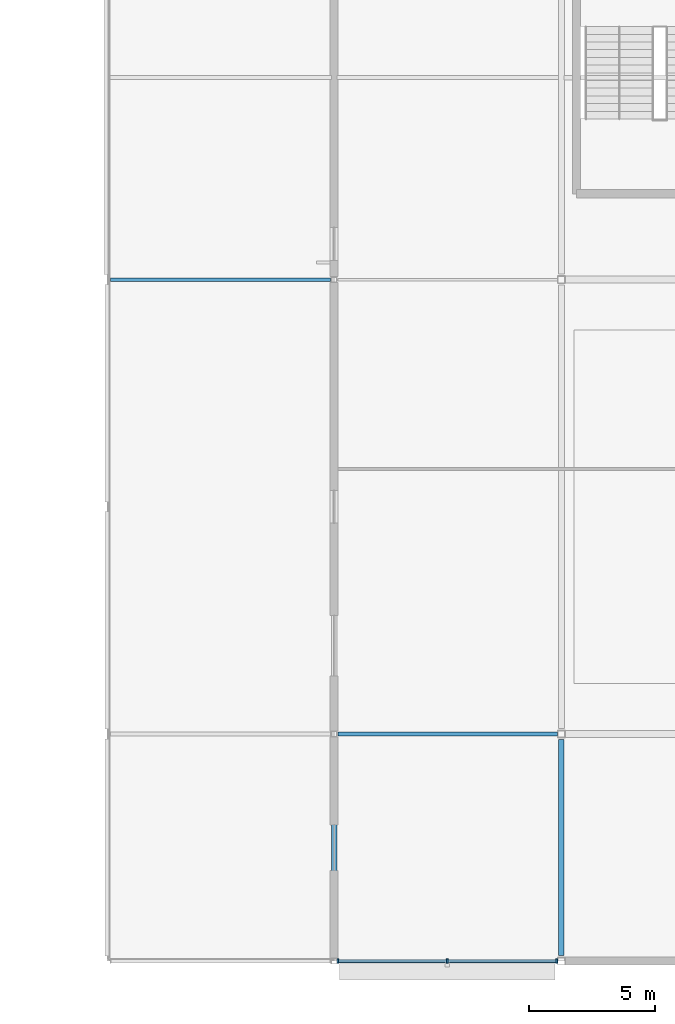
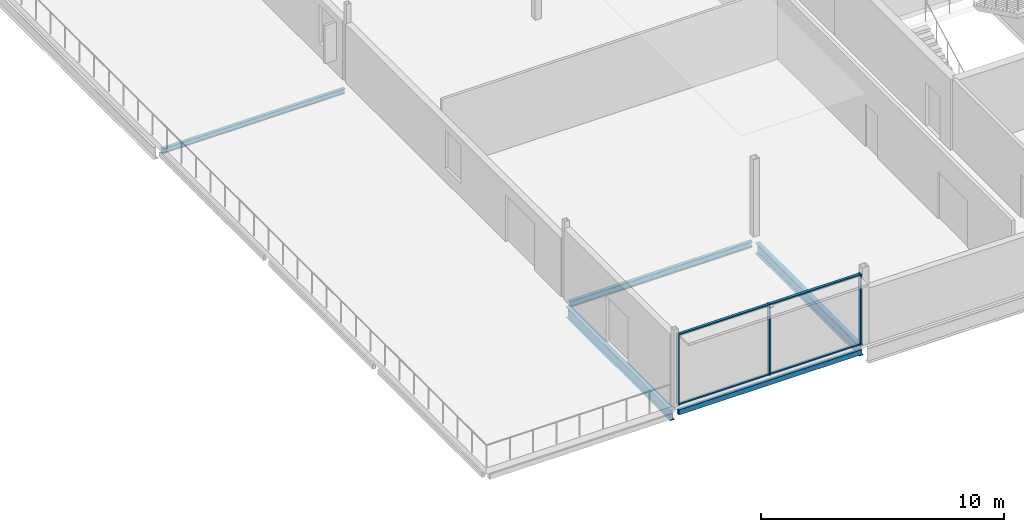
# One storey, part 20 of 55: 7 members, 5 beams, 1 element without a shape of its own.
"""IFC4 building model written with IfcOpenShell, lengths in metres."""

from ifc_helpers import new_model, si_unit, direction, frame, origin, origin_2d, place, context, subcontext, project, spatial, rectangle, hollow_rectangle, i_section, extrude, material, layer, layer_set, material_profile, profile_set, type_object, element, aggregate, save


model = new_model("IFC4")

# Units and contexts
model_context = context("Model", 3, precision=1e-05, world=origin(), true_north=direction((0.0, 1.0)))
body_context = subcontext(model_context, "Body", "Model", "MODEL_VIEW")
ifc_project = project(units=[si_unit("LENGTHUNIT", "METRE"), si_unit("AREAUNIT", "SQUARE_METRE"), si_unit("VOLUMEUNIT", "CUBIC_METRE"), si_unit("PLANEANGLEUNIT", "RADIAN"), si_unit("MASSUNIT", "GRAM", prefix="KILO")], contexts=[model_context])

# Site, building, storey
site_placement = place(None, origin())
site = spatial("IfcSite", under=ifc_project, at=site_placement, CompositionType="ELEMENT")
building_placement = place(site_placement, origin())
building = spatial("IfcBuilding", under=site, at=building_placement, Name="Kisiwana Market Hall", CompositionType="ELEMENT")
storey_placement = place(building_placement, frame((0.0, 0.0, 37.800048828125)))
storey = spatial("IfcBuildingStorey", under=building, at=storey_placement, Name="L08", CompositionType="ELEMENT", Elevation=37.800048828125)

# Beams
ifc_material_1 = material(Name="Steel S355", Category="steel")
ifc_material_profile_1 = material_profile(ifc_material_1, i_section(OverallWidth=0.209228515625, OverallDepth=0.533203125, WebThickness=0.010009765625, FlangeThickness=0.015625, at=origin_2d()), Name="UB 533x210x92")
ifc_profile_set_1 = profile_set([ifc_material_profile_1], Name="Steel S355")
beam_type_1 = type_object("IfcBeamType", Name="BM-GIRD-UB533", PredefinedType="BEAM", material=ifc_profile_set_1)
beam_1_placement = place(storey_placement, frame((162.0, 9.196044921875, -0.591552734375), z_axis=(0.0, 1.0, 0.0), x_axis=(-1.0, 0.0, 0.0)))
element("IfcBeam", 1, at=beam_1_placement, inside=storey, type_object=beam_type_1, Name="Primary girder B-2094", PredefinedType="BEAM", context=body_context, shape_type="SweptSolid", body=[
    extrude(i_section(OverallWidth=0.209228515625, OverallDepth=0.533203125, WebThickness=0.010009765625, FlangeThickness=0.015625, at=origin_2d()), origin(), (0.0, 0.0, 1.0), 8.60791015625),
])
beam_2_placement = place(storey_placement, frame((171.0, 9.220947265625, -0.51171875), z_axis=(0.0, 1.0, 0.0), x_axis=(-1.0, 0.0, 0.0)))
element("IfcBeam", 2, at=beam_2_placement, inside=storey, type_object=beam_type_1, Name="Primary girder B-2100", PredefinedType="BEAM", context=body_context, shape_type="SweptSolid", body=[
    extrude(i_section(OverallWidth=0.209228515625, OverallDepth=0.533203125, WebThickness=0.010009765625, FlangeThickness=0.015625, at=origin_2d()), origin(), (0.0, 0.0, 1.0), 8.55810546875),
])
ifc_material_2 = material(Name="Steel S355", Category="steel")
ifc_material_profile_2 = material_profile(ifc_material_2, i_section(OverallWidth=0.1650390625, OverallDepth=0.303466796875, WebThickness=0.006103515625, FlangeThickness=0.01025390625, at=origin_2d()), Name="UB 305x165x40")
ifc_profile_set_2 = profile_set([ifc_material_profile_2], Name="Steel S355")
beam_type_2 = type_object("IfcBeamType", Name="BM-JOIST-UB040", PredefinedType="JOIST", material=ifc_profile_set_2)
beam_3_placement = place(storey_placement, frame((162.14599609375, 18.0, -0.396728515625), z_axis=(1.0, 0.0, 0.0), x_axis=(0.0, 1.0, 0.0)))
element("IfcBeam", 3, at=beam_3_placement, inside=storey, type_object=beam_type_2, Name="Floor beam B-2155", PredefinedType="JOIST", context=body_context, shape_type="SweptSolid", body=[
    extrude(i_section(OverallWidth=0.1650390625, OverallDepth=0.303466796875, WebThickness=0.006103515625, FlangeThickness=0.01025390625, at=origin_2d()), origin(), (0.0, 0.0, 1.0), 8.7080078125),
])
ifc_material_3 = material(Name="Steel S355", Category="steel")
ifc_material_profile_3 = material_profile(ifc_material_3, i_section(OverallWidth=0.146484375, OverallDepth=0.256103515625, WebThickness=0.00634765625, FlangeThickness=0.010986328125, at=origin_2d()), Name="UB 254x146x37")
ifc_profile_set_3 = profile_set([ifc_material_profile_3], Name="Steel S355")
beam_type_3 = type_object("IfcBeamType", Name="BM-JOIST-UB254", PredefinedType="JOIST", material=ifc_profile_set_3)
beam_4_placement = place(storey_placement, frame((153.14599609375, 36.0, -0.453125), z_axis=(1.0, 0.0, 0.0), x_axis=(0.0, 1.0, 0.0)))
element("IfcBeam", 4, at=beam_4_placement, inside=storey, type_object=beam_type_3, Name="Floor beam B-2162", PredefinedType="JOIST", context=body_context, shape_type="SweptSolid", body=[
    extrude(i_section(OverallWidth=0.146484375, OverallDepth=0.256103515625, WebThickness=0.00634765625, FlangeThickness=0.010986328125, at=origin_2d()), origin(), (0.0, 0.0, 1.0), 8.7080078125),
])
ifc_material_4 = material(Name="Steel S355", Category="steel")
ifc_material_profile_4 = material_profile(ifc_material_4, hollow_rectangle(XDim=0.14990234375, YDim=0.25, WallThickness=0.010009765625, at=origin_2d()), Name="RHS 250x150x10.0")
ifc_profile_set_4 = profile_set([ifc_material_profile_4], Name="Steel S355")
beam_type_4 = type_object("IfcBeamType", Name="BM-SPAN-RHS250", PredefinedType="SPANDREL", material=ifc_profile_set_4)
beam_5_placement = place(storey_placement, frame((162.14599609375, 9.0, -0.3701171875), z_axis=(1.0, 0.0, 0.0), x_axis=(0.0, 1.0, 0.0)))
element("IfcBeam", 5, at=beam_5_placement, inside=storey, type_object=beam_type_4, Name="Floor beam B-2147", PredefinedType="SPANDREL", context=body_context, shape_type="SweptSolid", body=[
    extrude(hollow_rectangle(XDim=0.14990234375, YDim=0.25, WallThickness=0.010009765625, at=origin_2d()), origin(), (0.0, 0.0, 1.0), 8.7080078125),
])

# Curtain wall, members
ifc_material_5 = material(Name="Double-glazed solar-control low-E IGU", Category="glass")
ifc_layer = layer(ifc_material_5, 0.159912109375)
ifc_layer_set = layer_set([ifc_layer], Name="CW-ZNB-EW-8000")
curtain_wall_type = type_object("IfcCurtainWallType", Name="CW-ZNB-EW-8000", PredefinedType="USERDEFINED", material=ifc_layer_set)
curtain_wall_placement = place(storey_placement, origin())
curtain_wall = element("IfcCurtainWall", 6, at=curtain_wall_placement, inside=storey, type_object=curtain_wall_type, Name="Unitised curtain wall CW-238 (L08)", ObjectType="UNITISED CURTAIN WALL", PredefinedType="USERDEFINED")
ifc_material_6 = material(Name="Aluminium alloy 6063-T6", Category="aluminium")
ifc_material_profile_5 = material_profile(ifc_material_6, rectangle(XDim=0.070068359375, YDim=0.179931640625, at=origin_2d()), Name="ALU MULLION 70x180")
ifc_profile_set_5 = profile_set([ifc_material_profile_5], Name="Aluminium alloy 6063-T6")
member_type_1 = type_object("IfcMemberType", Name="CW-MULL-70x180", PredefinedType="MULLION", material=ifc_profile_set_5)
member_1_placement = place(storey_placement, frame((162.14501953125, 9.0, 0.0), z_axis=(0.0, 0.0, 1.0), x_axis=(1.0, 0.0, 0.0)))
member_1 = element("IfcMember", 7, at=member_1_placement, type_object=member_type_1, Name="CW-238 mullion 1", PredefinedType="MULLION", context=body_context, shape_type="SweptSolid", body=[
    extrude(rectangle(XDim=0.070068359375, YDim=0.179931640625, at=origin_2d()), origin(), (0.0, 0.0, 1.0), 3.56494140625),
])
member_2_placement = place(storey_placement, frame((166.47998046875, 9.0, 0.0), z_axis=(0.0, 0.0, 1.0), x_axis=(1.0, 0.0, 0.0)))
member_2 = element("IfcMember", 8, at=member_2_placement, type_object=member_type_1, Name="CW-238 mullion 2", PredefinedType="MULLION", context=body_context, shape_type="SweptSolid", body=[
    extrude(rectangle(XDim=0.070068359375, YDim=0.179931640625, at=origin_2d()), origin(), (0.0, 0.0, 1.0), 3.56494140625),
])
member_3_placement = place(storey_placement, frame((170.81494140625, 9.0, 0.0), z_axis=(0.0, 0.0, 1.0), x_axis=(1.0, 0.0, 0.0)))
member_3 = element("IfcMember", 9, at=member_3_placement, type_object=member_type_1, Name="CW-238 mullion 3", PredefinedType="MULLION", context=body_context, shape_type="SweptSolid", body=[
    extrude(rectangle(XDim=0.070068359375, YDim=0.179931640625, at=origin_2d()), origin(), (0.0, 0.0, 1.0), 3.56494140625),
])
ifc_material_7 = material(Name="Aluminium alloy 6063-T6", Category="aluminium")
ifc_material_profile_6 = material_profile(ifc_material_7, rectangle(XDim=0.1201171875, YDim=0.06005859375, at=origin_2d()), Name="ALU TRANSOM 60x120")
ifc_profile_set_6 = profile_set([ifc_material_profile_6], Name="Aluminium alloy 6063-T6")
member_type_2 = type_object("IfcMemberType", Name="CW-TRAN-60x120", PredefinedType="USERDEFINED", material=ifc_profile_set_6)
member_4_placement = place(storey_placement, frame((162.179931640625, 9.0, 0.030029296875), z_axis=(1.0, 0.0, 0.0), x_axis=(0.0, 1.0, 0.0)))
member_4 = element("IfcMember", 10, at=member_4_placement, type_object=member_type_2, Name="CW-238 transom 1.1", ObjectType="TRANSOM", PredefinedType="USERDEFINED", context=body_context, shape_type="SweptSolid", body=[
    extrude(rectangle(XDim=0.1201171875, YDim=0.06005859375, at=origin_2d()), origin(), (0.0, 0.0, 1.0), 4.26513671875),
])
member_5_placement = place(storey_placement, frame((162.179931640625, 9.0, 3.534912109375), z_axis=(1.0, 0.0, 0.0), x_axis=(0.0, 1.0, 0.0)))
member_5 = element("IfcMember", 11, at=member_5_placement, type_object=member_type_2, Name="CW-238 transom 1.2", ObjectType="TRANSOM", PredefinedType="USERDEFINED", context=body_context, shape_type="SweptSolid", body=[
    extrude(rectangle(XDim=0.1201171875, YDim=0.06005859375, at=origin_2d()), origin(), (0.0, 0.0, 1.0), 4.26513671875),
])
member_6_placement = place(storey_placement, frame((166.514892578125, 9.0, 0.030029296875), z_axis=(1.0, 0.0, 0.0), x_axis=(0.0, 1.0, 0.0)))
member_6 = element("IfcMember", 12, at=member_6_placement, type_object=member_type_2, Name="CW-238 transom 2.1", ObjectType="TRANSOM", PredefinedType="USERDEFINED", context=body_context, shape_type="SweptSolid", body=[
    extrude(rectangle(XDim=0.1201171875, YDim=0.06005859375, at=origin_2d()), origin(), (0.0, 0.0, 1.0), 4.26513671875),
])
member_7_placement = place(storey_placement, frame((166.514892578125, 9.0, 3.534912109375), z_axis=(1.0, 0.0, 0.0), x_axis=(0.0, 1.0, 0.0)))
member_7 = element("IfcMember", 13, at=member_7_placement, type_object=member_type_2, Name="CW-238 transom 2.2", ObjectType="TRANSOM", PredefinedType="USERDEFINED", context=body_context, shape_type="SweptSolid", body=[
    extrude(rectangle(XDim=0.1201171875, YDim=0.06005859375, at=origin_2d()), origin(), (0.0, 0.0, 1.0), 4.26513671875),
])
aggregate(curtain_wall, [member_1, member_2, member_3, member_4, member_5, member_6, member_7])

save(model, "model.ifc")
